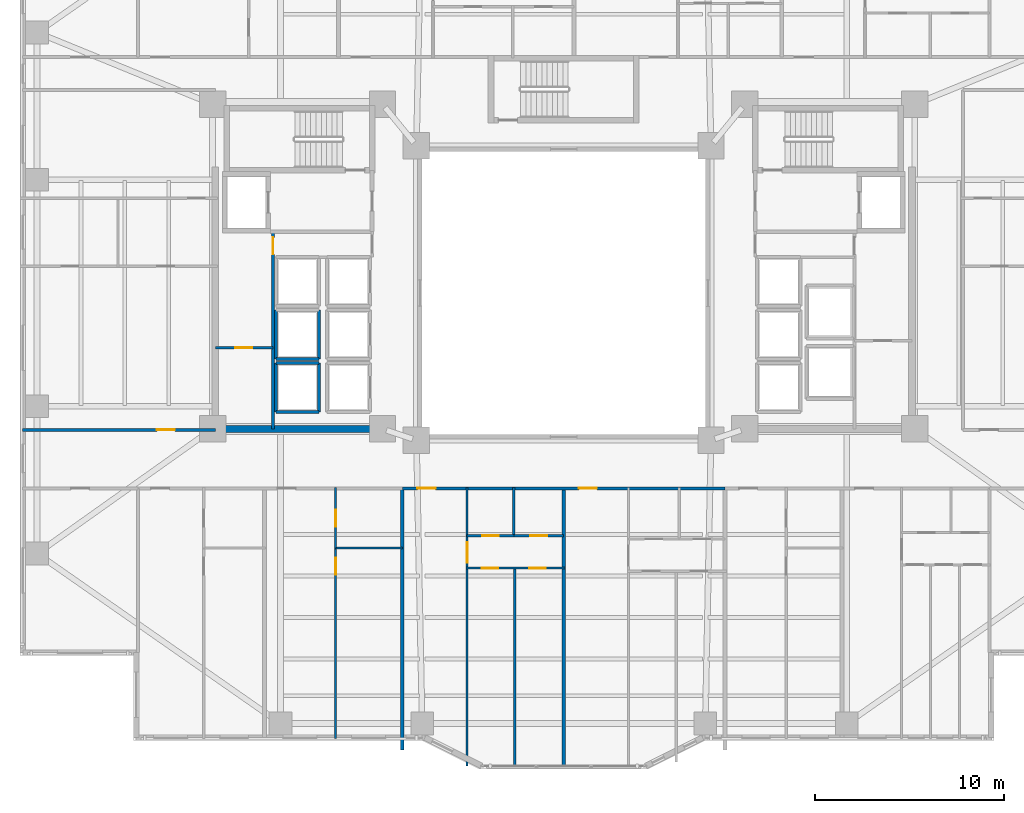
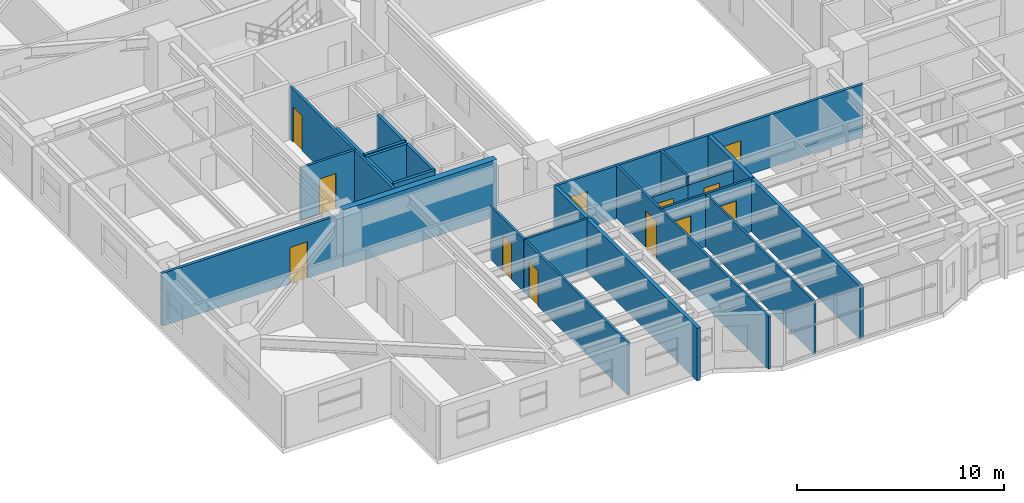
# One storey, part 10 of 22: 23 walls, 12 doors, 12 openings.
"""IFC4 building model written with IfcOpenShell, lengths in metres."""

from ifc_helpers import new_model, si_unit, direction, frame, frame_2d, origin, place, context, subcontext, project, spatial, rectangle, extrude, material, layer, layer_set, type_object, element, fill, save


model = new_model("IFC4")

# Units and contexts
model_context = context("Model", 3, precision=1e-05, world=origin(), true_north=direction((0.0, 1.0)))
body_context = subcontext(model_context, "Body", "Model", "MODEL_VIEW")
ifc_project = project(units=[si_unit("LENGTHUNIT", "METRE"), si_unit("AREAUNIT", "SQUARE_METRE"), si_unit("VOLUMEUNIT", "CUBIC_METRE"), si_unit("PLANEANGLEUNIT", "RADIAN"), si_unit("MASSUNIT", "GRAM", prefix="KILO")], contexts=[model_context])

# Site, building, storey
site_placement = place(None, origin())
site = spatial("IfcSite", under=ifc_project, at=site_placement, CompositionType="ELEMENT")
building_placement = place(site_placement, origin())
building = spatial("IfcBuilding", under=site, at=building_placement, Name="Tarnavaz Court Tower", CompositionType="ELEMENT")
storey_placement = place(building_placement, frame((0.0, 0.0, 57.5)))
storey = spatial("IfcBuildingStorey", under=building, at=storey_placement, Name="L15", CompositionType="ELEMENT", Elevation=57.5)

# Wall
ifc_material_1 = material(Name="Concrete C60/75", Category="concrete")
ifc_layer_1 = layer(ifc_material_1, 0.35009765625)
ifc_layer_set_1 = layer_set([ifc_layer_1], Name="Concrete C60/75")
wall_type_1 = type_object("IfcWallType", Name="WL-CORE-350-C60", PredefinedType="SHEAR", material=ifc_layer_set_1)
wall_1_placement = place(storey_placement, frame((-18.625, -7.199951171875, 0.0), z_axis=(0.0, 0.0, 1.0), x_axis=(1.0, 0.0, 0.0)))
element("IfcWall", 1, at=wall_1_placement, inside=storey, type_object=wall_type_1, Name="L15 West Core South Shear Wall 070", PredefinedType="SHEAR", context=body_context, shape_type="SweptSolid", body=[
    extrude(rectangle(XDim=8.550048828125, YDim=0.35009765625, at=frame_2d((4.27490234375, 0.0))), origin(), (0.0, 0.0, 1.0), 3.35009765625),
])

# Wall, openings, doors
ifc_material_2 = material(Name="Gypsum Fire-Board on Acoustic Metal Stud", Category="masonry")
ifc_layer_2 = layer(ifc_material_2, 0.14990234375)
ifc_layer_set_2 = layer_set([ifc_layer_2], Name="Gypsum Fire-Board on Acoustic Metal Stud")
wall_type_2 = type_object("IfcWallType", Name="WL-FIRE-150", PredefinedType="PARTITIONING", material=ifc_layer_set_2)
wall_2_placement = place(storey_placement, frame((-8.550048828125, -10.35009765625, 0.0), z_axis=(0.0, 0.0, 1.0), x_axis=(1.0, 0.0, 0.0)))
wall_2 = element("IfcWall", 2, at=wall_2_placement, inside=storey, type_object=wall_type_2, Name="L15 South Ring Corridor Wall 085", PredefinedType="PARTITIONING", context=body_context, shape_type="SweptSolid", body=[
    extrude(rectangle(XDim=17.10009765625, YDim=0.14990234375, at=frame_2d((8.550048828125, 0.0))), origin(), (0.0, 0.0, 1.0), 3.10009765625),
])
opening_1_placement = place(wall_2_placement, frame((0.800048828125, 0.0, 0.0)))
opening_1 = element("IfcOpeningElement", 3, at=opening_1_placement, cuts=wall_2, Name="Opening D06", PredefinedType="OPENING", context=body_context, shape_type="SweptSolid", body=[
    extrude(rectangle(XDim=0.9599609375, YDim=2.14990234375, at=frame_2d((0.47998046875, 1.074951171875))), frame((0.0, 0.0849609375, 0.0), z_axis=(0.0, -1.0, 0.0), x_axis=(1.0, 0.0, 0.0)), (0.0, 0.0, 1.0), 0.169921875),
])
opening_2_placement = place(wall_2_placement, frame((9.35009765625, 0.0, 0.0)))
opening_2 = element("IfcOpeningElement", 4, at=opening_2_placement, cuts=wall_2, Name="Opening D06", PredefinedType="OPENING", context=body_context, shape_type="SweptSolid", body=[
    extrude(rectangle(XDim=0.9599609375, YDim=2.14990234375, at=frame_2d((0.47998046875, 1.074951171875))), frame((0.0, 0.0849609375, 0.0), z_axis=(0.0, -1.0, 0.0), x_axis=(1.0, 0.0, 0.0)), (0.0, 0.0, 1.0), 0.169921875),
])
ifc_material_3 = material(Name="Fire-Rated Hardwood Timber Core", Category="wood")
door_type_1 = type_object("IfcDoorType", Name="DR-FD60-950", OperationType="NOTDEFINED", PredefinedType="DOOR", material=ifc_material_3)
door_1_placement = place(opening_1_placement, origin())
door_1 = element("IfcDoor", 5, at=door_1_placement, inside=storey, type_object=door_type_1, Name="L15 Flat 09 Entrance Door", OperationType="SINGLE_SWING_RIGHT", OverallHeight=2.14990234375, OverallWidth=0.9599609375, PredefinedType="DOOR", context=body_context, shape_type="SweptSolid", body=[
    extrude(rectangle(XDim=0.9599609375, YDim=2.14990234375, at=frame_2d((0.47998046875, 1.074951171875))), frame((0.0, 0.02490234375, 0.0), z_axis=(0.0, -1.0, 0.0), x_axis=(1.0, 0.0, 0.0)), (0.0, 0.0, 1.0), 0.050048828125),
])
fill(opening_1, door_1)
door_2_placement = place(opening_2_placement, origin())
door_2 = element("IfcDoor", 6, at=door_2_placement, inside=storey, type_object=door_type_1, Name="L15 Flat 10 Entrance Door", OperationType="SINGLE_SWING_RIGHT", OverallHeight=2.14990234375, OverallWidth=0.9599609375, PredefinedType="DOOR", context=body_context, shape_type="SweptSolid", body=[
    extrude(rectangle(XDim=0.9599609375, YDim=2.14990234375, at=frame_2d((0.47998046875, 1.074951171875))), frame((0.0, 0.02490234375, 0.0), z_axis=(0.0, -1.0, 0.0), x_axis=(1.0, 0.0, 0.0)), (0.0, 0.0, 1.0), 0.050048828125),
])
fill(opening_2, door_2)

# Wall, opening, door
wall_3_placement = place(storey_placement, frame((-28.679931640625, -7.25, 0.0), z_axis=(0.0, 0.0, 1.0), x_axis=(1.0, 0.0, 0.0)))
wall_3 = element("IfcWall", 7, at=wall_3_placement, inside=storey, type_object=wall_type_2, Name="L15 Interior Partition 144", PredefinedType="PARTITIONING", context=body_context, shape_type="SweptSolid", body=[
    extrude(rectangle(XDim=10.22998046875, YDim=0.14990234375, at=frame_2d((5.114990234375, 0.0))), origin(), (0.0, 0.0, 1.0), 3.10009765625),
])
opening_3_placement = place(wall_3_placement, frame((7.1298828125, 0.0, 0.0)))
opening_3 = element("IfcOpeningElement", 8, at=opening_3_placement, cuts=wall_3, Name="Opening D06", PredefinedType="OPENING", context=body_context, shape_type="SweptSolid", body=[
    extrude(rectangle(XDim=0.9599609375, YDim=2.14990234375, at=frame_2d((0.47998046875, 1.074951171875))), frame((0.0, 0.0849609375, 0.0), z_axis=(0.0, -1.0, 0.0), x_axis=(1.0, 0.0, 0.0)), (0.0, 0.0, 1.0), 0.169921875),
])
door_3_placement = place(opening_3_placement, origin())
door_3 = element("IfcDoor", 9, at=door_3_placement, inside=storey, type_object=door_type_1, Name="L15 Flat 11 Entrance Door", OperationType="SINGLE_SWING_RIGHT", OverallHeight=2.14990234375, OverallWidth=0.9599609375, PredefinedType="DOOR", context=body_context, shape_type="SweptSolid", body=[
    extrude(rectangle(XDim=0.9599609375, YDim=2.14990234375, at=frame_2d((0.47998046875, 1.074951171875))), frame((0.0, 0.02490234375, 0.0), z_axis=(0.0, -1.0, 0.0), x_axis=(1.0, 0.0, 0.0)), (0.0, 0.0, 1.0), 0.050048828125),
])
fill(opening_3, door_3)

# Walls
ifc_material_4 = material(Name="Autoclaved Aerated Concrete Blockwork", Category="masonry")
ifc_layer_3 = layer(ifc_material_4, 0.199951171875)
ifc_layer_set_3 = layer_set([ifc_layer_3], Name="Autoclaved Aerated Concrete Blockwork")
wall_type_3 = type_object("IfcWallType", Name="WL-FIRE-200", PredefinedType="SOLIDWALL", material=ifc_layer_set_3)
wall_4_placement = place(storey_placement, frame((-8.550048828125, -24.2041015625, 0.0), z_axis=(0.0, 0.0, 1.0), x_axis=(0.0, 1.0, 0.0)))
element("IfcWall", 10, at=wall_4_placement, inside=storey, type_object=wall_type_3, Name="L15 Party Wall 129", PredefinedType="SOLIDWALL", context=body_context, shape_type="SweptSolid", body=[
    extrude(rectangle(XDim=13.85400390625, YDim=0.199951171875, at=frame_2d((6.927001953125, 0.0))), origin(), (0.0, 0.0, 1.0), 3.10009765625),
])
wall_5_placement = place(storey_placement, frame((0.0, -25.080078125, 0.0), z_axis=(0.0, 0.0, 1.0), x_axis=(0.0, 1.0, 0.0)))
element("IfcWall", 11, at=wall_5_placement, inside=storey, type_object=wall_type_3, Name="L15 Party Wall 131", PredefinedType="SOLIDWALL", context=body_context, shape_type="SweptSolid", body=[
    extrude(rectangle(XDim=14.72998046875, YDim=0.199951171875, at=frame_2d((7.364990234375, 0.0))), origin(), (0.0, 0.0, 1.0), 3.10009765625),
])

# Wall, opening, door
ifc_material_5 = material(Name="Moisture-Resistant Gypsum Board Partition", Category="masonry")
ifc_layer_4 = layer(ifc_material_5, 0.1201171875)
ifc_layer_set_4 = layer_set([ifc_layer_4], Name="Moisture-Resistant Gypsum Board Partition")
wall_type_4 = type_object("IfcWallType", Name="WL-PART-120", PredefinedType="PARTITIONING", material=ifc_layer_set_4)
wall_6_placement = place(storey_placement, frame((-12.083984375, -23.60009765625, 0.0), z_axis=(0.0, 0.0, 1.0), x_axis=(0.0, 1.0, 0.0)))
wall_6 = element("IfcWall", 12, at=wall_6_placement, inside=storey, type_object=wall_type_4, Name="L15 Interior Partition 115", PredefinedType="PARTITIONING", context=body_context, shape_type="SweptSolid", body=[
    extrude(rectangle(XDim=10.090087890625, YDim=0.1201171875, at=frame_2d((5.044921875, 0.0))), origin(), (0.0, 0.0, 1.0), 3.10009765625),
])
opening_4_placement = place(wall_6_placement, frame((8.68994140625, 0.0, 0.0)))
opening_4 = element("IfcOpeningElement", 13, at=opening_4_placement, cuts=wall_6, Name="Opening D14", PredefinedType="OPENING", context=body_context, shape_type="SweptSolid", body=[
    extrude(rectangle(XDim=0.8798828125, YDim=2.10009765625, at=frame_2d((0.43994140625, 1.050048828125))), frame((0.0, 0.070068359375, 0.0), z_axis=(0.0, -1.0, 0.0), x_axis=(1.0, 0.0, 0.0)), (0.0, 0.0, 1.0), 0.14013671875),
])
ifc_material_6 = material(Name="Engineered Oak Timber", Category="wood")
door_type_2 = type_object("IfcDoorType", Name="DR-INT-900", OperationType="NOTDEFINED", PredefinedType="DOOR", material=ifc_material_6)
door_4_placement = place(opening_4_placement, origin())
door_4 = element("IfcDoor", 14, at=door_4_placement, inside=storey, type_object=door_type_2, Name="L15 Flat 06 Kitchen Door", OperationType="SINGLE_SWING_RIGHT", OverallHeight=2.10009765625, OverallWidth=0.8798828125, PredefinedType="DOOR", context=body_context, shape_type="SweptSolid", body=[
    extrude(rectangle(XDim=0.8798828125, YDim=2.10009765625, at=frame_2d((0.43994140625, 1.050048828125))), frame((0.0, 0.02490234375, 0.0), z_axis=(0.0, -1.0, 0.0), x_axis=(1.0, 0.0, 0.0)), (0.0, 0.0, 1.0), 0.050048828125),
])
fill(opening_4, door_4)

wall_7_placement = place(storey_placement, frame((-12.083984375, -13.510009765625, 0.0), z_axis=(0.0, 0.0, 1.0), x_axis=(0.0, 1.0, 0.0)))
wall_7 = element("IfcWall", 15, at=wall_7_placement, inside=storey, type_object=wall_type_4, Name="L15 Interior Partition 116", PredefinedType="PARTITIONING", context=body_context, shape_type="SweptSolid", body=[
    extrude(rectangle(XDim=3.219970703125, YDim=0.1201171875, at=frame_2d((1.60986328125, 0.0))), origin(), (0.0, 0.0, 1.0), 3.10009765625),
])
opening_5_placement = place(wall_7_placement, frame((1.139892578125, 0.0, 0.0)))
opening_5 = element("IfcOpeningElement", 16, at=opening_5_placement, cuts=wall_7, Name="Opening D14", PredefinedType="OPENING", context=body_context, shape_type="SweptSolid", body=[
    extrude(rectangle(XDim=0.8798828125, YDim=2.10009765625, at=frame_2d((0.43994140625, 1.050048828125))), frame((0.0, 0.070068359375, 0.0), z_axis=(0.0, -1.0, 0.0), x_axis=(1.0, 0.0, 0.0)), (0.0, 0.0, 1.0), 0.14013671875),
])
door_5_placement = place(opening_5_placement, origin())
door_5 = element("IfcDoor", 17, at=door_5_placement, inside=storey, type_object=door_type_2, Name="L15 Flat 06 Bathroom Door", OperationType="SINGLE_SWING_LEFT", OverallHeight=2.10009765625, OverallWidth=0.8798828125, PredefinedType="DOOR", context=body_context, shape_type="SweptSolid", body=[
    extrude(rectangle(XDim=0.8798828125, YDim=2.10009765625, at=frame_2d((0.43994140625, 1.050048828125))), frame((0.0, 0.02490234375, 0.0), z_axis=(0.0, -1.0, 0.0), x_axis=(1.0, 0.0, 0.0)), (0.0, 0.0, 1.0), 0.050048828125),
])
fill(opening_5, door_5)

# Wall
wall_8_placement = place(storey_placement, frame((-12.14404296875, -13.510009765625, 0.0), z_axis=(0.0, 0.0, 1.0), x_axis=(1.0, 0.0, 0.0)))
element("IfcWall", 18, at=wall_8_placement, inside=storey, type_object=wall_type_4, Name="L15 Interior Partition 117", PredefinedType="PARTITIONING", context=body_context, shape_type="SweptSolid", body=[
    extrude(rectangle(XDim=3.60400390625, YDim=0.1201171875, at=frame_2d((1.802001953125, 0.0))), origin(), (0.0, 0.0, 1.0), 3.10009765625),
])

# Wall, opening, door
wall_9_placement = place(storey_placement, frame((-5.117919921875, -25.051025390625, 0.0), z_axis=(0.0, 0.0, 1.0), x_axis=(0.0, 1.0, 0.0)))
wall_9 = element("IfcWall", 19, at=wall_9_placement, inside=storey, type_object=wall_type_4, Name="L15 Interior Partition 132", PredefinedType="PARTITIONING", context=body_context, shape_type="SweptSolid", body=[
    extrude(rectangle(XDim=14.760986328125, YDim=0.1201171875, at=frame_2d((7.38037109375, 0.0))), origin(), (0.0, 0.0, 1.0), 3.10009765625),
])
opening_6_placement = place(wall_9_placement, frame((10.76611328125, 0.0, 0.0)))
opening_6 = element("IfcOpeningElement", 20, at=opening_6_placement, cuts=wall_9, Name="Opening D12", PredefinedType="OPENING", context=body_context, shape_type="SweptSolid", body=[
    extrude(rectangle(XDim=1.080078125, YDim=2.14990234375, at=frame_2d((0.5400390625, 1.074951171875))), frame((0.0, 0.070068359375, 0.0), z_axis=(0.0, -1.0, 0.0), x_axis=(1.0, 0.0, 0.0)), (0.0, 0.0, 1.0), 0.14013671875),
])
door_type_3 = type_object("IfcDoorType", Name="DR-INT-1100", OperationType="NOTDEFINED", PredefinedType="DOOR", material=ifc_material_6)
door_6_placement = place(opening_6_placement, origin())
door_6 = element("IfcDoor", 21, at=door_6_placement, inside=storey, type_object=door_type_3, Name="L15 Flat 09 Foyer Door", OperationType="SINGLE_SWING_LEFT", OverallHeight=2.14990234375, OverallWidth=1.080078125, PredefinedType="DOOR", context=body_context, shape_type="SweptSolid", body=[
    extrude(rectangle(XDim=1.080078125, YDim=2.14990234375, at=frame_2d((0.5400390625, 1.074951171875))), frame((0.0, 0.02490234375, 0.0), z_axis=(0.0, -1.0, 0.0), x_axis=(1.0, 0.0, 0.0)), (0.0, 0.0, 1.0), 0.050048828125),
])
fill(opening_6, door_6)

wall_10_placement = place(storey_placement, frame((-5.117919921875, -12.860107421875, 0.0), z_axis=(0.0, 0.0, 1.0), x_axis=(1.0, 0.0, 0.0)))
wall_10 = element("IfcWall", 22, at=wall_10_placement, inside=storey, type_object=wall_type_4, Name="L15 Interior Partition 133", PredefinedType="PARTITIONING", context=body_context, shape_type="SweptSolid", body=[
    extrude(rectangle(XDim=2.47802734375, YDim=0.1201171875, at=frame_2d((1.239013671875, 0.0))), origin(), (0.0, 0.0, 1.0), 2.5849609375),
])
opening_7_placement = place(wall_10_placement, frame((0.799072265625, 0.0, 0.0)))
opening_7 = element("IfcOpeningElement", 23, at=opening_7_placement, cuts=wall_10, Name="Opening D14", PredefinedType="OPENING", context=body_context, shape_type="SweptSolid", body=[
    extrude(rectangle(XDim=0.8798828125, YDim=2.10009765625, at=frame_2d((0.43994140625, 1.050048828125))), frame((0.0, 0.070068359375, 0.0), z_axis=(0.0, -1.0, 0.0), x_axis=(1.0, 0.0, 0.0)), (0.0, 0.0, 1.0), 0.14013671875),
])
door_7_placement = place(opening_7_placement, origin())
door_7 = element("IfcDoor", 24, at=door_7_placement, inside=storey, type_object=door_type_2, Name="L15 Flat 09 Kitchen Door", OperationType="SINGLE_SWING_RIGHT", OverallHeight=2.10009765625, OverallWidth=0.8798828125, PredefinedType="DOOR", context=body_context, shape_type="SweptSolid", body=[
    extrude(rectangle(XDim=0.8798828125, YDim=2.10009765625, at=frame_2d((0.43994140625, 1.050048828125))), frame((0.0, 0.02490234375, 0.0), z_axis=(0.0, -1.0, 0.0), x_axis=(1.0, 0.0, 0.0)), (0.0, 0.0, 1.0), 0.050048828125),
])
fill(opening_7, door_7)

wall_11_placement = place(storey_placement, frame((-2.639892578125, -12.860107421875, 0.0), z_axis=(0.0, 0.0, 1.0), x_axis=(1.0, 0.0, 0.0)))
wall_11 = element("IfcWall", 25, at=wall_11_placement, inside=storey, type_object=wall_type_4, Name="L15 Interior Partition 134", PredefinedType="PARTITIONING", context=body_context, shape_type="SweptSolid", body=[
    extrude(rectangle(XDim=2.639892578125, YDim=0.1201171875, at=frame_2d((1.31982421875, 0.0))), origin(), (0.0, 0.0, 1.0), 2.5849609375),
])
opening_8_placement = place(wall_11_placement, frame((0.8798828125, 0.0, 0.0)))
opening_8 = element("IfcOpeningElement", 26, at=opening_8_placement, cuts=wall_11, Name="Opening D14", PredefinedType="OPENING", context=body_context, shape_type="SweptSolid", body=[
    extrude(rectangle(XDim=0.8798828125, YDim=2.10009765625, at=frame_2d((0.43994140625, 1.050048828125))), frame((0.0, 0.070068359375, 0.0), z_axis=(0.0, -1.0, 0.0), x_axis=(1.0, 0.0, 0.0)), (0.0, 0.0, 1.0), 0.14013671875),
])
door_8_placement = place(opening_8_placement, origin())
door_8 = element("IfcDoor", 27, at=door_8_placement, inside=storey, type_object=door_type_2, Name="L15 Flat 09 Bathroom Door", OperationType="SINGLE_SWING_LEFT", OverallHeight=2.10009765625, OverallWidth=0.8798828125, PredefinedType="DOOR", context=body_context, shape_type="SweptSolid", body=[
    extrude(rectangle(XDim=0.8798828125, YDim=2.10009765625, at=frame_2d((0.43994140625, 1.050048828125))), frame((0.0, 0.02490234375, 0.0), z_axis=(0.0, -1.0, 0.0), x_axis=(1.0, 0.0, 0.0)), (0.0, 0.0, 1.0), 0.050048828125),
])
fill(opening_8, door_8)

# Wall, openings, doors
wall_12_placement = place(storey_placement, frame((-5.177978515625, -14.570068359375, 0.0), z_axis=(0.0, 0.0, 1.0), x_axis=(1.0, 0.0, 0.0)))
wall_12 = element("IfcWall", 28, at=wall_12_placement, inside=storey, type_object=wall_type_4, Name="L15 Interior Partition 135", PredefinedType="PARTITIONING", context=body_context, shape_type="SweptSolid", body=[
    extrude(rectangle(XDim=5.238037109375, YDim=0.1201171875, at=frame_2d((2.619140625, 0.0))), origin(), (0.0, 0.0, 1.0), 3.10009765625),
])
opening_9_placement = place(wall_12_placement, frame((0.824951171875, 0.0, 0.0)))
opening_9 = element("IfcOpeningElement", 29, at=opening_9_placement, cuts=wall_12, Name="Opening D14", PredefinedType="OPENING", context=body_context, shape_type="SweptSolid", body=[
    extrude(rectangle(XDim=0.8798828125, YDim=2.10009765625, at=frame_2d((0.43994140625, 1.050048828125))), frame((0.0, 0.070068359375, 0.0), z_axis=(0.0, -1.0, 0.0), x_axis=(1.0, 0.0, 0.0)), (0.0, 0.0, 1.0), 0.14013671875),
])
opening_10_placement = place(wall_12_placement, frame((3.35400390625, 0.0, 0.0)))
opening_10 = element("IfcOpeningElement", 30, at=opening_10_placement, cuts=wall_12, Name="Opening D14", PredefinedType="OPENING", context=body_context, shape_type="SweptSolid", body=[
    extrude(rectangle(XDim=0.8798828125, YDim=2.10009765625, at=frame_2d((0.43994140625, 1.050048828125))), frame((0.0, 0.070068359375, 0.0), z_axis=(0.0, -1.0, 0.0), x_axis=(1.0, 0.0, 0.0)), (0.0, 0.0, 1.0), 0.14013671875),
])
door_9_placement = place(opening_9_placement, origin())
door_9 = element("IfcDoor", 31, at=door_9_placement, inside=storey, type_object=door_type_2, Name="L15 Flat 09 Bedroom 1 Door", OperationType="SINGLE_SWING_RIGHT", OverallHeight=2.10009765625, OverallWidth=0.8798828125, PredefinedType="DOOR", context=body_context, shape_type="SweptSolid", body=[
    extrude(rectangle(XDim=0.8798828125, YDim=2.10009765625, at=frame_2d((0.43994140625, 1.050048828125))), frame((0.0, 0.02490234375, 0.0), z_axis=(0.0, -1.0, 0.0), x_axis=(1.0, 0.0, 0.0)), (0.0, 0.0, 1.0), 0.050048828125),
])
fill(opening_9, door_9)
door_10_placement = place(opening_10_placement, origin())
door_10 = element("IfcDoor", 32, at=door_10_placement, inside=storey, type_object=door_type_2, Name="L15 Flat 09 Bedroom 2 Door", OperationType="SINGLE_SWING_LEFT", OverallHeight=2.10009765625, OverallWidth=0.8798828125, PredefinedType="DOOR", context=body_context, shape_type="SweptSolid", body=[
    extrude(rectangle(XDim=0.8798828125, YDim=2.10009765625, at=frame_2d((0.43994140625, 1.050048828125))), frame((0.0, 0.02490234375, 0.0), z_axis=(0.0, -1.0, 0.0), x_axis=(1.0, 0.0, 0.0)), (0.0, 0.0, 1.0), 0.050048828125),
])
fill(opening_10, door_10)

# Walls
wall_13_placement = place(storey_placement, frame((-2.639892578125, -12.919921875, 0.0), z_axis=(0.0, 0.0, 1.0), x_axis=(0.0, 1.0, 0.0)))
element("IfcWall", 33, at=wall_13_placement, inside=storey, type_object=wall_type_4, Name="L15 Interior Partition 136", PredefinedType="PARTITIONING", context=body_context, shape_type="SweptSolid", body=[
    extrude(rectangle(XDim=2.6298828125, YDim=0.1201171875, at=frame_2d((1.31494140625, 0.0))), origin(), (0.0, 0.0, 1.0), 3.10009765625),
])
wall_14_placement = place(storey_placement, frame((-2.589111328125, -25.080078125, 0.0), z_axis=(0.0, 0.0, 1.0), x_axis=(0.0, 1.0, 0.0)))
element("IfcWall", 34, at=wall_14_placement, inside=storey, type_object=wall_type_4, Name="L15 Interior Partition 137", PredefinedType="PARTITIONING", context=body_context, shape_type="SweptSolid", body=[
    extrude(rectangle(XDim=10.570068359375, YDim=0.1201171875, at=frame_2d((5.28515625, 0.0))), origin(), (0.0, 0.0, 1.0), 3.10009765625),
])

# Wall, opening, door
ifc_material_7 = material(Name="Gypsum Plasterboard Acoustic Partition", Category="masonry")
ifc_layer_5 = layer(ifc_material_7, 0.139892578125)
ifc_layer_set_5 = layer_set([ifc_layer_5], Name="Gypsum Plasterboard Acoustic Partition")
wall_type_5 = type_object("IfcWallType", Name="WL-PART-150", PredefinedType="PARTITIONING", material=ifc_layer_set_5)
wall_15_placement = place(storey_placement, frame((-15.39990234375, -7.199951171875, 0.0), z_axis=(0.0, 0.0, 1.0), x_axis=(0.0, 1.0, 0.0)))
wall_15 = element("IfcWall", 35, at=wall_15_placement, inside=storey, type_object=wall_type_5, Name="L15 Interior Partition 075", PredefinedType="PARTITIONING", context=body_context, shape_type="SweptSolid", body=[
    extrude(rectangle(XDim=10.449951171875, YDim=0.139892578125, at=frame_2d((5.22509765625, 0.0))), origin(), (0.0, 0.0, 1.0), 3.10009765625),
])
opening_11_placement = place(wall_15_placement, frame((9.25, 0.0, 0.0)))
opening_11 = element("IfcOpeningElement", 36, at=opening_11_placement, cuts=wall_15, Name="Opening D09", PredefinedType="OPENING", context=body_context, shape_type="SweptSolid", body=[
    extrude(rectangle(XDim=0.89990234375, YDim=2.080078125, at=frame_2d((0.449951171875, 1.0400390625))), frame((0.0, 0.079833984375, 0.0), z_axis=(0.0, -1.0, 0.0), x_axis=(1.0, 0.0, 0.0)), (0.0, 0.0, 1.0), 0.159912109375),
])
door_type_4 = type_object("IfcDoorType", Name="DR-FD30-900", OperationType="NOTDEFINED", PredefinedType="DOOR", material=ifc_material_3)
door_11_placement = place(opening_11_placement, origin())
door_11 = element("IfcDoor", 37, at=door_11_placement, inside=storey, type_object=door_type_4, Name="L15 West Valve Room Door", OperationType="SINGLE_SWING_RIGHT", OverallHeight=2.080078125, OverallWidth=0.89990234375, PredefinedType="DOOR", context=body_context, shape_type="SweptSolid", body=[
    extrude(rectangle(XDim=0.89990234375, YDim=2.080078125, at=frame_2d((0.449951171875, 1.0400390625))), frame((0.0, 0.02490234375, 0.0), z_axis=(0.0, -1.0, 0.0), x_axis=(1.0, 0.0, 0.0)), (0.0, 0.0, 1.0), 0.050048828125),
])
fill(opening_11, door_11)

wall_16_placement = place(storey_placement, frame((-18.449951171875, -2.89990234375, 0.0), z_axis=(0.0, 0.0, 1.0), x_axis=(1.0, 0.0, 0.0)))
wall_16 = element("IfcWall", 38, at=wall_16_placement, inside=storey, type_object=wall_type_5, Name="L15 Interior Partition 076", PredefinedType="PARTITIONING", context=body_context, shape_type="SweptSolid", body=[
    extrude(rectangle(XDim=3.050048828125, YDim=0.139892578125, at=frame_2d((1.52490234375, 0.0))), origin(), (0.0, 0.0, 1.0), 3.10009765625),
])
opening_12_placement = place(wall_16_placement, frame((1.050048828125, 0.0, 0.0)))
opening_12 = element("IfcOpeningElement", 39, at=opening_12_placement, cuts=wall_16, Name="Opening D09", PredefinedType="OPENING", context=body_context, shape_type="SweptSolid", body=[
    extrude(rectangle(XDim=0.89990234375, YDim=2.080078125, at=frame_2d((0.449951171875, 1.0400390625))), frame((0.0, 0.079833984375, 0.0), z_axis=(0.0, -1.0, 0.0), x_axis=(1.0, 0.0, 0.0)), (0.0, 0.0, 1.0), 0.159912109375),
])
door_12_placement = place(opening_12_placement, origin())
door_12 = element("IfcDoor", 40, at=door_12_placement, inside=storey, type_object=door_type_4, Name="L15 West Power Plant Door", OperationType="SINGLE_SWING_LEFT", OverallHeight=2.080078125, OverallWidth=0.89990234375, PredefinedType="DOOR", context=body_context, shape_type="SweptSolid", body=[
    extrude(rectangle(XDim=0.89990234375, YDim=2.080078125, at=frame_2d((0.449951171875, 1.0400390625))), frame((0.0, 0.02490234375, 0.0), z_axis=(0.0, -1.0, 0.0), x_axis=(1.0, 0.0, 0.0)), (0.0, 0.0, 1.0), 0.050048828125),
])
fill(opening_12, door_12)

# Walls
ifc_layer_6 = layer(ifc_material_4, 0.159912109375)
ifc_layer_set_6 = layer_set([ifc_layer_6], Name="Autoclaved Aerated Concrete Blockwork")
wall_type_6 = type_object("IfcWallType", Name="WL-SHAFT-150", PredefinedType="SOLIDWALL", material=ifc_layer_set_6)
for number, where, z_axis, x_axis, name in (
    (41, (-15.25, -6.300048828125, 0.0), (0.0, 0.0, 1.0), (0.0, 1.0, 0.0), "L15 Lift PL-H1 Shaft Wall 033"),
    (42, (-12.949951171875, -6.300048828125, 0.0), (0.0, 0.0, 1.0), (0.0, 1.0, 0.0), "L15 Lift PL-H1 Shaft Wall 034"),
):
    element("IfcWall", number, at=place(storey_placement, frame(where, z_axis=z_axis, x_axis=x_axis)), inside=storey, type_object=wall_type_6, Name=name, PredefinedType="SOLIDWALL", context=body_context, shape_type="SweptSolid", body=[
        extrude(rectangle(XDim=2.60009765625, YDim=0.159912109375, at=frame_2d((1.300048828125, 0.0))), origin(), (0.0, 0.0, 1.0), 3.10009765625),
    ])
for number, where, z_axis, x_axis, name in (
    (43, (-15.25, -6.300048828125, 0.0), (0.0, 0.0, 1.0), (1.0, 0.0, 0.0), "L15 Lift PL-H1 Shaft Wall 035"),
    (44, (-15.25, -3.699951171875, 0.0), (0.0, 0.0, 1.0), (1.0, 0.0, 0.0), "L15 Lift PL-H1 Shaft Wall 036"),
):
    element("IfcWall", number, at=place(storey_placement, frame(where, z_axis=z_axis, x_axis=x_axis)), inside=storey, type_object=wall_type_6, Name=name, PredefinedType="SOLIDWALL", context=body_context, shape_type="SweptSolid", body=[
        extrude(rectangle(XDim=2.300048828125, YDim=0.159912109375, at=frame_2d((1.14990234375, 0.0))), origin(), (0.0, 0.0, 1.0), 3.10009765625),
    ])
for number, where, z_axis, x_axis, name in (
    (45, (-15.25, -3.5, 0.0), (0.0, 0.0, 1.0), (0.0, 1.0, 0.0), "L15 Lift PL-H2 Shaft Wall 037"),
    (46, (-12.949951171875, -3.5, 0.0), (0.0, 0.0, 1.0), (0.0, 1.0, 0.0), "L15 Lift PL-H2 Shaft Wall 038"),
):
    element("IfcWall", number, at=place(storey_placement, frame(where, z_axis=z_axis, x_axis=x_axis)), inside=storey, type_object=wall_type_6, Name=name, PredefinedType="SOLIDWALL", context=body_context, shape_type="SweptSolid", body=[
        extrude(rectangle(XDim=2.60009765625, YDim=0.159912109375, at=frame_2d((1.300048828125, 0.0))), origin(), (0.0, 0.0, 1.0), 3.10009765625),
    ])
wall_17_placement = place(storey_placement, frame((-15.25, -3.5, 0.0), z_axis=(0.0, 0.0, 1.0), x_axis=(1.0, 0.0, 0.0)))
element("IfcWall", 47, at=wall_17_placement, inside=storey, type_object=wall_type_6, Name="L15 Lift PL-H2 Shaft Wall 039", PredefinedType="SOLIDWALL", context=body_context, shape_type="SweptSolid", body=[
    extrude(rectangle(XDim=2.300048828125, YDim=0.159912109375, at=frame_2d((1.14990234375, 0.0))), origin(), (0.0, 0.0, 1.0), 3.10009765625),
])

save(model, "model.ifc")
